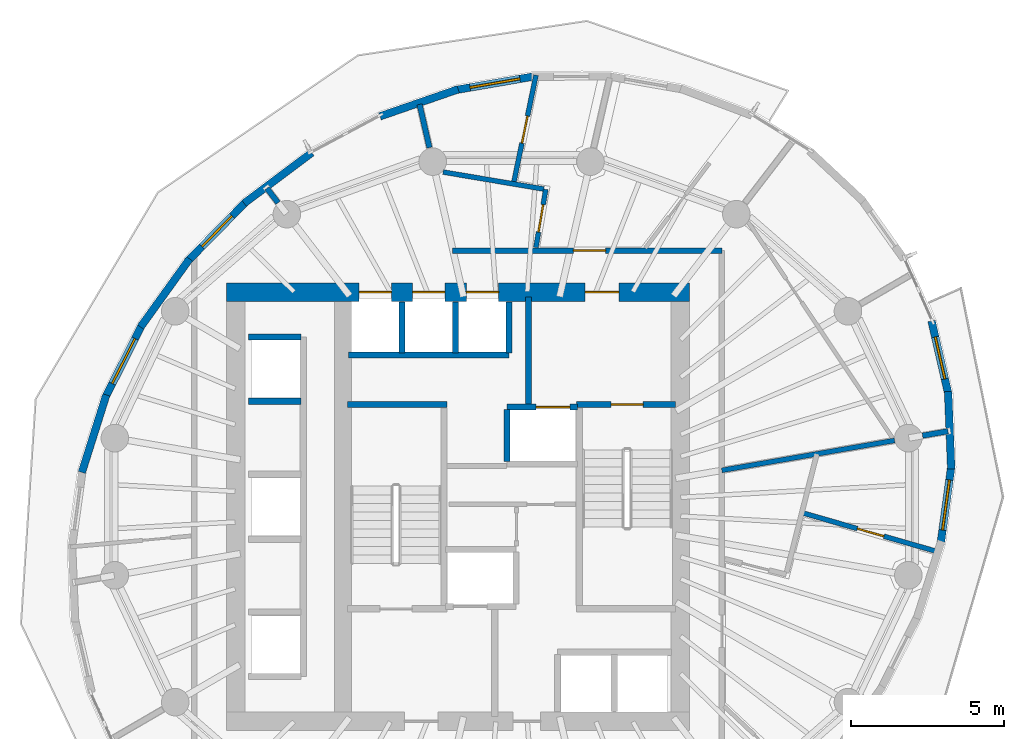
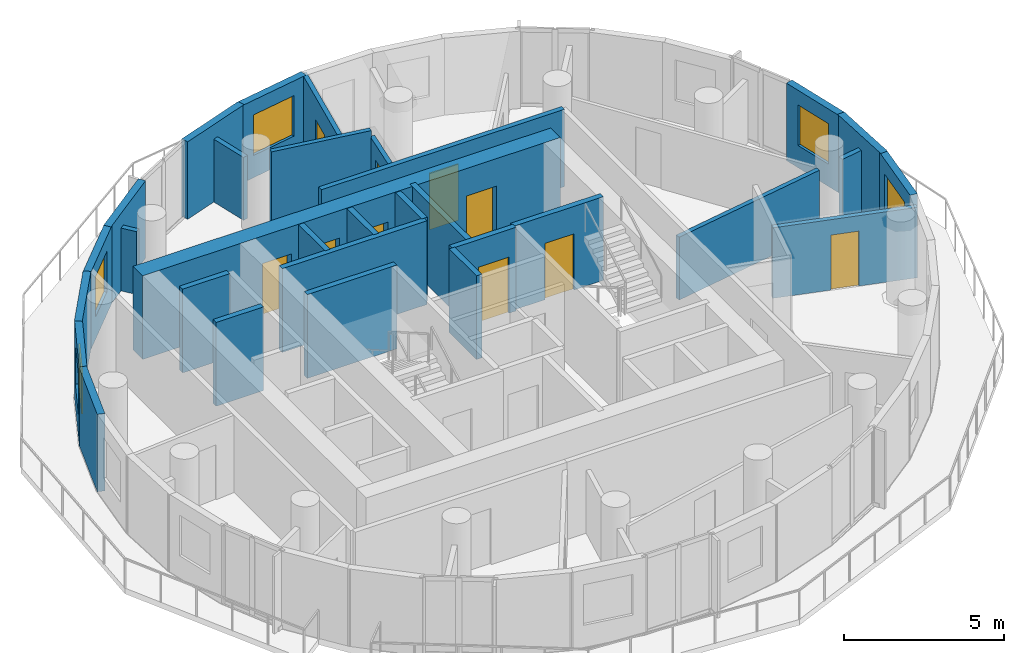
# One storey, part 6 of 10: 31 walls, 10 doors, 5 windows, 15 openings.
"""IFC4 building model written with IfcOpenShell, lengths in metres."""

from ifc_helpers import new_model, si_unit, direction, frame, frame_2d, origin, place, context, subcontext, project, spatial, rectangle, extrude, material, layer, layer_set, type_object, element, fill, save


model = new_model("IFC4")

# Units and contexts
model_context = context("Model", 3, precision=1e-05, world=origin(), true_north=direction((0.0, 1.0)))
body_context = subcontext(model_context, "Body", "Model", "MODEL_VIEW")
ifc_project = project(units=[si_unit("LENGTHUNIT", "METRE"), si_unit("AREAUNIT", "SQUARE_METRE"), si_unit("VOLUMEUNIT", "CUBIC_METRE"), si_unit("PLANEANGLEUNIT", "RADIAN"), si_unit("MASSUNIT", "GRAM", prefix="KILO")], contexts=[model_context])

# Site, building, storey
site_placement = place(None, origin())
site = spatial("IfcSite", under=ifc_project, at=site_placement, CompositionType="ELEMENT")
building_placement = place(site_placement, origin())
building = spatial("IfcBuilding", under=site, at=building_placement, Name="Veldorim Arch Residences", CompositionType="ELEMENT")
storey_placement = place(building_placement, frame((0.0, 0.0, 166.239990234375)))
storey = spatial("IfcBuildingStorey", under=building, at=storey_placement, Name="L49", CompositionType="ELEMENT", Elevation=166.239990234375)

# Walls
ifc_material_1 = material(Name="Lightweight Masonry Block & Gypsum", Category="masonry")
ifc_layer_1 = layer(ifc_material_1, 0.179931640625, Name="Compartment & Corridor Fire-Rated Party Wall 180")
ifc_layer_set_1 = layer_set([ifc_layer_1], Name="Lightweight Masonry Block & Gypsum")
wall_type_1 = type_object("IfcWallType", Name="Compartment & Corridor Fire-Rated Party Wall 180", PredefinedType="PARTITIONING", material=ifc_layer_set_1)
wall_1_placement = place(storey_placement, frame((45.409423828125, 26.319580078125, 0.0), z_axis=(0.0, 0.0, 1.0), x_axis=(0.985336508055, 0.170622290144, 0.0)))
element("IfcWall", 1, at=wall_1_placement, inside=storey, type_object=wall_type_1, Name="L49 interior wall WL-PIER-L49-01", PredefinedType="PARTITIONING", context=body_context, shape_type="SweptSolid", body=[
    extrude(rectangle(XDim=0.845703125, YDim=0.179931640625, at=frame_2d((0.4228515625, 0.0))), origin(), (0.0, 0.0, 1.0), 2.4033203125),
])
wall_2_placement = place(storey_placement, frame((29.320068359375, 35.717529296875, 0.0), z_axis=(0.0, 0.0, 1.0), x_axis=(-0.22299884629, 0.974818708557, 0.0)))
element("IfcWall", 2, at=wall_2_placement, inside=storey, type_object=wall_type_1, Name="L49 interior wall WL-PIER-L49-05", PredefinedType="PARTITIONING", context=body_context, shape_type="SweptSolid", body=[
    extrude(rectangle(XDim=1.447265625, YDim=0.179931640625, at=frame_2d((0.7236328125, 0.0))), origin(), (0.0, 0.0, 1.0), 2.4033203125),
])
wall_3_placement = place(storey_placement, frame((24.380126953125, 33.91796875, 0.0), z_axis=(0.0, 0.0, 1.0), x_axis=(-0.609274747308, 0.792959193334, 0.0)))
element("IfcWall", 3, at=wall_3_placement, inside=storey, type_object=wall_type_1, Name="L49 interior wall WL-PIER-L49-06", PredefinedType="PARTITIONING", context=body_context, shape_type="SweptSolid", body=[
    extrude(rectangle(XDim=0.595458984375, YDim=0.179931640625, at=frame_2d((0.2978515625, 0.0))), origin(), (0.0, 0.0, 1.0), 2.4033203125),
])

# Wall, opening, door
wall_4_placement = place(storey_placement, frame((30.0673828125, 32.360107421875, 0.0), z_axis=(0.0, 0.0, 1.0), x_axis=(1.0, 0.0, 0.0)))
wall_4 = element("IfcWall", 4, at=wall_4_placement, inside=storey, type_object=wall_type_1, Name="L49 interior wall WL-RES-L49-003", PredefinedType="PARTITIONING", context=body_context, shape_type="SweptSolid", body=[
    extrude(rectangle(XDim=8.792724609375, YDim=0.179931640625, at=frame_2d((4.396484375, 0.0))), origin(), (0.0, 0.0, 1.0), 2.955078125),
])
opening_1_placement = place(wall_4_placement, frame((3.95068359375, 0.0, 0.0)))
opening_1 = element("IfcOpeningElement", 5, at=opening_1_placement, cuts=wall_4, Name="Opening DR-FLT", PredefinedType="OPENING", context=body_context, shape_type="SweptSolid", body=[
    extrude(rectangle(XDim=1.050048828125, YDim=2.14990234375, at=frame_2d((0.52490234375, 1.074951171875))), frame((0.0, 0.099853515625, 0.0), z_axis=(0.0, -1.0, 0.0), x_axis=(1.0, 0.0, 0.0)), (0.0, 0.0, 1.0), 0.199951171875),
])
ifc_material_2 = material(Name="Fire-Rated Timber", Category="wood")
door_type_1 = type_object("IfcDoorType", Name="Apartment Entrance Solid-Core Fire Door 1050x2150", OperationType="SINGLE_SWING_LEFT", PredefinedType="DOOR", material=ifc_material_2)
door_1_placement = place(opening_1_placement, origin())
door_1 = element("IfcDoor", 6, at=door_1_placement, inside=storey, type_object=door_type_1, Name="L49 interior door DR-RES-L49-006", OperationType="SINGLE_SWING_RIGHT", OverallHeight=2.14990234375, OverallWidth=1.050048828125, PredefinedType="DOOR", context=body_context, shape_type="SweptSolid", body=[
    extrude(rectangle(XDim=1.050048828125, YDim=2.14990234375, at=frame_2d((0.52490234375, 1.074951171875))), frame((0.0, 0.02490234375, 0.0), z_axis=(0.0, -1.0, 0.0), x_axis=(1.0, 0.0, 0.0)), (0.0, 0.0, 1.0), 0.050048828125),
])
fill(opening_1, door_1)

# Wall
ifc_material_3 = material(Name="Concrete C50/60", Category="concrete")
ifc_layer_2 = layer(ifc_material_3, 0.199951171875, Name="Core Stair & Lift Shaft Enclosure Wall 200")
ifc_layer_set_2 = layer_set([ifc_layer_2], Name="Concrete C50/60")
wall_type_2 = type_object("IfcWallType", Name="Core Stair & Lift Shaft Enclosure Wall 200", PredefinedType="SHEAR", material=ifc_layer_set_2)
wall_5_placement = place(storey_placement, frame((26.64990234375, 27.330078125, 0.0), z_axis=(0.0, 0.0, 1.0), x_axis=(1.0, 0.0, 0.0)))
element("IfcWall", 7, at=wall_5_placement, inside=storey, type_object=wall_type_2, Name="L49 shaft wall WL-SHF-L49-ST1-N", PredefinedType="SHEAR", context=body_context, shape_type="SweptSolid", body=[
    extrude(rectangle(XDim=3.239990234375, YDim=0.199951171875, at=frame_2d((1.6201171875, 0.0))), origin(), (0.0, 0.0, 1.0), 3.199951171875),
])

# Wall, opening, door
wall_6_placement = place(storey_placement, frame((34.110107421875, 27.330078125, 0.0), z_axis=(0.0, 0.0, 1.0), x_axis=(1.0, 0.0, 0.0)))
wall_6 = element("IfcWall", 8, at=wall_6_placement, inside=storey, type_object=wall_type_2, Name="L49 shaft wall WL-SHF-L49-ST2-N", PredefinedType="SHEAR", context=body_context, shape_type="SweptSolid", body=[
    extrude(rectangle(XDim=3.239990234375, YDim=0.199951171875, at=frame_2d((1.6201171875, 0.0))), origin(), (0.0, 0.0, 1.0), 3.199951171875),
])
opening_2_placement = place(wall_6_placement, frame((1.135009765625, 0.0, 0.0)))
opening_2 = element("IfcOpeningElement", 9, at=opening_2_placement, cuts=wall_6, Name="Opening DR-ST", PredefinedType="OPENING", context=body_context, shape_type="SweptSolid", body=[
    extrude(rectangle(XDim=1.050048828125, YDim=2.14990234375, at=frame_2d((0.52490234375, 1.074951171875))), frame((0.0, 0.10986328125, 0.0), z_axis=(0.0, -1.0, 0.0), x_axis=(1.0, 0.0, 0.0)), (0.0, 0.0, 1.0), 0.219970703125),
])
ifc_material_4 = material(Name="Fire-Rated Steel", Category="steel")
door_type_2 = type_object("IfcDoorType", Name="Exit Staircase Self-Closing Fire Door 1050x2150", OperationType="SINGLE_SWING_LEFT", PredefinedType="DOOR", material=ifc_material_4)
door_2_placement = place(opening_2_placement, origin())
door_2 = element("IfcDoor", 10, at=door_2_placement, inside=storey, type_object=door_type_2, Name="L49 interior door DR-L49-ST2", OperationType="SINGLE_SWING_RIGHT", OverallHeight=2.14990234375, OverallWidth=1.050048828125, PredefinedType="DOOR", context=body_context, shape_type="SweptSolid", body=[
    extrude(rectangle(XDim=1.050048828125, YDim=2.14990234375, at=frame_2d((0.52490234375, 1.074951171875))), frame((0.0, 0.02490234375, 0.0), z_axis=(0.0, -1.0, 0.0), x_axis=(1.0, 0.0, 0.0)), (0.0, 0.0, 1.0), 0.050048828125),
])
fill(opening_2, door_2)

# Wall
wall_7_placement = place(storey_placement, frame((32.550048828125, 27.35009765625, 0.0), z_axis=(0.0, 0.0, 1.0), x_axis=(0.0, 1.0, 0.0)))
element("IfcWall", 11, at=wall_7_placement, inside=storey, type_object=wall_type_2, Name="L49 shaft wall WL-FFL2-L49-W", PredefinedType="SHEAR", context=body_context, shape_type="SweptSolid", body=[
    extrude(rectangle(XDim=3.5, YDim=0.199951171875, at=frame_2d((1.75, 0.0))), origin(), (0.0, 0.0, 1.0), 3.199951171875),
])

# Wall, opening, door
wall_8_placement = place(storey_placement, frame((31.85009765625, 27.25, 0.0), z_axis=(0.0, 0.0, 1.0), x_axis=(1.0, 0.0, 0.0)))
wall_8 = element("IfcWall", 12, at=wall_8_placement, inside=storey, type_object=wall_type_2, Name="L49 shaft wall WL-FL02-L49-N", PredefinedType="SHEAR", context=body_context, shape_type="SweptSolid", body=[
    extrude(rectangle(XDim=2.2998046875, YDim=0.199951171875, at=frame_2d((1.14990234375, 0.0))), origin(), (0.0, 0.0, 1.0), 3.199951171875),
])
opening_3_placement = place(wall_8_placement, frame((0.949951171875, 0.0, 0.0)))
opening_3 = element("IfcOpeningElement", 13, at=opening_3_placement, cuts=wall_8, Name="Opening LD-FF", PredefinedType="OPENING", context=body_context, shape_type="SweptSolid", body=[
    extrude(rectangle(XDim=1.10009765625, YDim=2.14990234375, at=frame_2d((0.550048828125, 1.074951171875))), frame((0.0, 0.10986328125, 0.0), z_axis=(0.0, -1.0, 0.0), x_axis=(1.0, 0.0, 0.0)), (0.0, 0.0, 1.0), 0.219970703125),
])
ifc_material_5 = material(Name="Stainless Steel", Category="steel")
door_type_3 = type_object("IfcDoorType", Name="Firefighting Lift Bi-Parting Sliding Landing Door 1100x2150", OperationType="DOUBLE_DOOR_SLIDING", PredefinedType="DOOR", material=ifc_material_5)
door_3_placement = place(opening_3_placement, origin())
door_3 = element("IfcDoor", 14, at=door_3_placement, inside=storey, type_object=door_type_3, Name="L49 lift landing door LD-L49-FL02", OperationType="DOUBLE_DOOR_SLIDING", OverallHeight=2.14990234375, OverallWidth=1.10009765625, PredefinedType="DOOR", context=body_context, shape_type="SweptSolid", body=[
    extrude(rectangle(XDim=1.10009765625, YDim=2.14990234375, at=frame_2d((0.550048828125, 1.074951171875))), frame((0.0, 0.02490234375, 0.0), z_axis=(0.0, -1.0, 0.0), x_axis=(1.0, 0.0, 0.0)), (0.0, 0.0, 1.0), 0.050048828125),
])
fill(opening_3, door_3)

# Walls
for number, where, z_axis, x_axis, name in (
    (15, (31.85009765625, 25.469970703125, 0.0), (0.0, 0.0, 1.0), (0.0, 1.0, 0.0), "L49 shaft wall WL-FL02-L49-W"),
    (16, (23.419921875, 29.5400390625, 0.0), (0.0, 0.0, 1.0), (1.0, 0.0, 0.0), "L49 shaft wall WL-B2-L49-N"),
    (17, (23.419921875, 27.43994140625, 0.0), (0.0, 0.0, 1.0), (1.0, 0.0, 0.0), "L49 shaft wall WL-B2-L49-D2B"),
):
    element("IfcWall", number, at=place(storey_placement, frame(where, z_axis=z_axis, x_axis=x_axis)), inside=storey, type_object=wall_type_2, Name=name, PredefinedType="SHEAR", context=body_context, shape_type="SweptSolid", body=[
        extrude(rectangle(XDim=1.7099609375, YDim=0.199951171875, at=frame_2d((0.85498046875, 0.0))), origin(), (0.0, 0.0, 1.0), 3.199951171875),
    ])
wall_9_placement = place(storey_placement, frame((26.679931640625, 28.949951171875, 0.0), z_axis=(0.0, 0.0, 1.0), x_axis=(1.0, 0.0, 0.0)))
element("IfcWall", 18, at=wall_9_placement, inside=storey, type_object=wall_type_2, Name="L49 shaft wall WL-B3-L49-S", PredefinedType="SHEAR", context=body_context, shape_type="SweptSolid", body=[
    extrude(rectangle(XDim=5.239990234375, YDim=0.199951171875, at=frame_2d((2.6201171875, 0.0))), origin(), (0.0, 0.0, 1.0), 3.199951171875),
])
for number, where, z_axis, x_axis, name in (
    (19, (31.919921875, 29.02001953125, 0.0), (0.0, 0.0, 1.0), (0.0, 1.0, 0.0), "L49 shaft wall WL-B3-L49-E"),
    (20, (28.425048828125, 29.02001953125, 0.0), (0.0, 0.0, 1.0), (0.0, 1.0, 0.0), "L49 shaft wall WL-B3-L49-D1"),
    (21, (30.175048828125, 29.02001953125, 0.0), (0.0, 0.0, 1.0), (0.0, 1.0, 0.0), "L49 shaft wall WL-B3-L49-D2"),
):
    element("IfcWall", number, at=place(storey_placement, frame(where, z_axis=z_axis, x_axis=x_axis)), inside=storey, type_object=wall_type_2, Name=name, PredefinedType="SHEAR", context=body_context, shape_type="SweptSolid", body=[
        extrude(rectangle(XDim=1.659912109375, YDim=0.199951171875, at=frame_2d((0.830078125, 0.0))), origin(), (0.0, 0.0, 1.0), 3.199951171875),
    ])

# Wall, openings, doors
ifc_material_6 = material(Name="Concrete C50/60", Category="concrete")
ifc_layer_3 = layer(ifc_material_6, 0.60009765625, Name="Mid-Upper Central Core Shear Wall 600")
ifc_layer_set_3 = layer_set([ifc_layer_3], Name="Concrete C50/60")
wall_type_3 = type_object("IfcWallType", Name="Mid-Upper Central Core Shear Wall 600", PredefinedType="SHEAR", material=ifc_layer_set_3)
wall_10_placement = place(storey_placement, frame((22.699951171875, 31.0, 0.0), z_axis=(0.0, 0.0, 1.0), x_axis=(1.0, 0.0, 0.0)))
wall_10 = element("IfcWall", 22, at=wall_10_placement, inside=storey, type_object=wall_type_3, Name="L49 central core north shear wall", PredefinedType="SHEAR", context=body_context, shape_type="SweptSolid", body=[
    extrude(rectangle(XDim=15.10009765625, YDim=0.60009765625, at=frame_2d((7.550048828125, 0.0))), origin(), (0.0, 0.0, 1.0), 3.199951171875),
])
opening_4_placement = place(wall_10_placement, frame((11.699951171875, 0.0, 0.0)))
opening_4 = element("IfcOpeningElement", 23, at=opening_4_placement, cuts=wall_10, Name="Opening DR-FFL", PredefinedType="OPENING", context=body_context, shape_type="SweptSolid", body=[
    extrude(rectangle(XDim=1.10009765625, YDim=2.14990234375, at=frame_2d((0.550048828125, 1.074951171875))), frame((0.0, 0.31005859375, 0.0), z_axis=(0.0, -1.0, 0.0), x_axis=(1.0, 0.0, 0.0)), (0.0, 0.0, 1.0), 0.6201171875),
])
opening_5_placement = place(wall_10_placement, frame((4.324951171875, 0.0, 0.0)))
opening_5 = element("IfcOpeningElement", 24, at=opening_5_placement, cuts=wall_10, Name="Opening LD-PS", PredefinedType="OPENING", context=body_context, shape_type="SweptSolid", body=[
    extrude(rectangle(XDim=1.050048828125, YDim=2.14990234375, at=frame_2d((0.52490234375, 1.074951171875))), frame((0.0, 0.31005859375, 0.0), z_axis=(0.0, -1.0, 0.0), x_axis=(1.0, 0.0, 0.0)), (0.0, 0.0, 1.0), 0.6201171875),
])
opening_6_placement = place(wall_10_placement, frame((6.074951171875, 0.0, 0.0)))
opening_6 = element("IfcOpeningElement", 25, at=opening_6_placement, cuts=wall_10, Name="Opening LD-PS", PredefinedType="OPENING", context=body_context, shape_type="SweptSolid", body=[
    extrude(rectangle(XDim=1.050048828125, YDim=2.14990234375, at=frame_2d((0.52490234375, 1.074951171875))), frame((0.0, 0.31005859375, 0.0), z_axis=(0.0, -1.0, 0.0), x_axis=(1.0, 0.0, 0.0)), (0.0, 0.0, 1.0), 0.6201171875),
])
opening_7_placement = place(wall_10_placement, frame((7.824951171875, 0.0, 0.0)))
opening_7 = element("IfcOpeningElement", 26, at=opening_7_placement, cuts=wall_10, Name="Opening LD-PS", PredefinedType="OPENING", context=body_context, shape_type="SweptSolid", body=[
    extrude(rectangle(XDim=1.050048828125, YDim=2.14990234375, at=frame_2d((0.52490234375, 1.074951171875))), frame((0.0, 0.31005859375, 0.0), z_axis=(0.0, -1.0, 0.0), x_axis=(1.0, 0.0, 0.0)), (0.0, 0.0, 1.0), 0.6201171875),
])
ifc_material_7 = material(Name="Fire-Rated Steel & Vision Glass", Category="steel")
door_type_4 = type_object("IfcDoorType", Name="Firefighting Lobby Smoke-Stop Fire Door 1100x2150", OperationType="SINGLE_SWING_LEFT", PredefinedType="DOOR", material=ifc_material_7)
door_4_placement = place(opening_4_placement, origin())
door_4 = element("IfcDoor", 27, at=door_4_placement, inside=storey, type_object=door_type_4, Name="L49 interior door DR-L49-FFL2", OperationType="SINGLE_SWING_LEFT", OverallHeight=2.14990234375, OverallWidth=1.10009765625, PredefinedType="DOOR", context=body_context, shape_type="SweptSolid", body=[
    extrude(rectangle(XDim=1.10009765625, YDim=2.14990234375, at=frame_2d((0.550048828125, 1.074951171875))), frame((0.0, 0.02490234375, 0.0), z_axis=(0.0, -1.0, 0.0), x_axis=(1.0, 0.0, 0.0)), (0.0, 0.0, 1.0), 0.050048828125),
])
fill(opening_4, door_4)
ifc_material_8 = material(Name="Stainless Steel", Category="steel")
door_type_5 = type_object("IfcDoorType", Name="Passenger Lift Bi-Parting Sliding Landing Door 1050x2150", OperationType="DOUBLE_DOOR_SLIDING", PredefinedType="DOOR", material=ifc_material_8)
door_5_placement = place(opening_5_placement, origin())
door_5 = element("IfcDoor", 28, at=door_5_placement, inside=storey, type_object=door_type_5, Name="L49 lift landing door LD-L49-PL-08", OperationType="DOUBLE_DOOR_SLIDING", OverallHeight=2.14990234375, OverallWidth=1.050048828125, PredefinedType="DOOR", context=body_context, shape_type="SweptSolid", body=[
    extrude(rectangle(XDim=1.050048828125, YDim=2.14990234375, at=frame_2d((0.52490234375, 1.074951171875))), frame((0.0, 0.02490234375, 0.0), z_axis=(0.0, -1.0, 0.0), x_axis=(1.0, 0.0, 0.0)), (0.0, 0.0, 1.0), 0.050048828125),
])
fill(opening_5, door_5)
door_6_placement = place(opening_6_placement, origin())
door_6 = element("IfcDoor", 29, at=door_6_placement, inside=storey, type_object=door_type_5, Name="L49 lift landing door LD-L49-PL-09", OperationType="DOUBLE_DOOR_SLIDING", OverallHeight=2.14990234375, OverallWidth=1.050048828125, PredefinedType="DOOR", context=body_context, shape_type="SweptSolid", body=[
    extrude(rectangle(XDim=1.050048828125, YDim=2.14990234375, at=frame_2d((0.52490234375, 1.074951171875))), frame((0.0, 0.02490234375, 0.0), z_axis=(0.0, -1.0, 0.0), x_axis=(1.0, 0.0, 0.0)), (0.0, 0.0, 1.0), 0.050048828125),
])
fill(opening_6, door_6)
door_7_placement = place(opening_7_placement, origin())
door_7 = element("IfcDoor", 30, at=door_7_placement, inside=storey, type_object=door_type_5, Name="L49 lift landing door LD-L49-PL-10", OperationType="DOUBLE_DOOR_SLIDING", OverallHeight=2.14990234375, OverallWidth=1.050048828125, PredefinedType="DOOR", context=body_context, shape_type="SweptSolid", body=[
    extrude(rectangle(XDim=1.050048828125, YDim=2.14990234375, at=frame_2d((0.52490234375, 1.074951171875))), frame((0.0, 0.02490234375, 0.0), z_axis=(0.0, -1.0, 0.0), x_axis=(1.0, 0.0, 0.0)), (0.0, 0.0, 1.0), 0.050048828125),
])
fill(opening_7, door_7)

# Wall, opening, window
ifc_material_9 = material(Name="Precast concrete C40/50", Category="concrete")
ifc_layer_4 = layer(ifc_material_9, 0.25, Name="Tower Terracotta Spandrel & Pier Wall 250")
ifc_layer_set_4 = layer_set([ifc_layer_4], Name="Precast concrete C40/50")
wall_type_4 = type_object("IfcWallType", Name="Tower Terracotta Spandrel & Pier Wall 250", PredefinedType="SOLIDWALL", material=ifc_layer_set_4)
wall_11_placement = place(storey_placement, frame((30.15185546875, 37.595458984375, 0.0), z_axis=(0.0, 0.0, 1.0), x_axis=(0.985331154473, 0.170653203967, 0.0)))
wall_11 = element("IfcWall", 31, at=wall_11_placement, inside=storey, type_object=wall_type_4, Name="L49 terracotta facade wall 06", PredefinedType="SOLIDWALL", context=body_context, shape_type="SweptSolid", body=[
    extrude(rectangle(XDim=2.65087890625, YDim=0.25, at=frame_2d((1.325439453125, 0.0))), origin(), (0.0, 0.0, 1.0), 2.9599609375),
])
opening_8_placement = place(wall_11_placement, frame((0.5, 0.0, 0.85009765625)))
opening_8 = element("IfcOpeningElement", 32, at=opening_8_placement, cuts=wall_11, Name="Opening WN-03", PredefinedType="OPENING", context=body_context, shape_type="SweptSolid", body=[
    extrude(rectangle(XDim=1.64990234375, YDim=1.550048828125, at=frame_2d((0.824951171875, 0.77490234375))), frame((0.0, 0.135009765625, 0.0), z_axis=(0.0, -1.0, 0.0), x_axis=(1.0, 0.0, 0.0)), (0.0, 0.0, 1.0), 0.27001953125),
])
ifc_material_10 = material(Name="Laminated Low-E Glass", Category="glass")
window_type_1 = type_object("IfcWindowType", Name="Residential Wide Window 1650x1550", PartitioningType="SINGLE_PANEL", PredefinedType="WINDOW", material=ifc_material_10)
window_1_placement = place(opening_8_placement, origin())
window_1 = element("IfcWindow", 33, at=window_1_placement, inside=storey, type_object=window_type_1, Name="L49 solar-control facade window 06", OverallHeight=1.550048828125, OverallWidth=1.64990234375, PartitioningType="SINGLE_PANEL", PredefinedType="WINDOW", context=body_context, shape_type="SweptSolid", body=[
    extrude(rectangle(XDim=1.64990234375, YDim=1.550048828125, at=frame_2d((0.824951171875, 0.77490234375))), frame((0.0, 0.030029296875, 0.0), z_axis=(0.0, -1.0, 0.0), x_axis=(1.0, 0.0, 0.0)), (0.0, 0.0, 1.0), 0.06005859375),
])
fill(opening_8, window_1)

# Walls
wall_12_placement = place(storey_placement, frame((27.705078125, 36.7392578125, 0.0), z_axis=(0.0, 0.0, 1.0), x_axis=(0.945016150651, 0.327023661236, 0.0)))
element("IfcWall", 34, at=wall_12_placement, inside=storey, type_object=wall_type_4, Name="L49 terracotta facade wall 07", PredefinedType="SOLIDWALL", context=body_context, shape_type="SweptSolid", body=[
    extrude(rectangle(XDim=2.70166015625, YDim=0.25, at=frame_2d((1.350830078125, 0.0))), origin(), (0.0, 0.0, 1.0), 2.9599609375),
])
wall_13_placement = place(storey_placement, frame((23.272216796875, 33.9013671875, 0.0), z_axis=(0.0, 0.0, 1.0), x_axis=(0.800636941996, 0.599149803564, 0.0)))
element("IfcWall", 35, at=wall_13_placement, inside=storey, type_object=wall_type_4, Name="L49 terracotta facade wall 09", PredefinedType="SOLIDWALL", context=body_context, shape_type="SweptSolid", body=[
    extrude(rectangle(XDim=2.7578125, YDim=0.25, at=frame_2d((1.37890625, 0.0))), origin(), (0.0, 0.0, 1.0), 2.9599609375),
])

# Wall, opening, window
wall_14_placement = place(storey_placement, frame((21.421142578125, 32.00537109375, 0.0), z_axis=(0.0, 0.0, 1.0), x_axis=(0.700794099323, 0.713363603189, 0.0)))
wall_14 = element("IfcWall", 36, at=wall_14_placement, inside=storey, type_object=wall_type_4, Name="L49 terracotta facade wall 10", PredefinedType="SOLIDWALL", context=body_context, shape_type="SweptSolid", body=[
    extrude(rectangle(XDim=2.758056640625, YDim=0.25, at=frame_2d((1.37890625, 0.0))), origin(), (0.0, 0.0, 1.0), 2.9599609375),
])
opening_9_placement = place(wall_14_placement, frame((0.678955078125, 0.0, 0.85009765625)))
opening_9 = element("IfcOpeningElement", 37, at=opening_9_placement, cuts=wall_14, Name="Opening WN-02", PredefinedType="OPENING", context=body_context, shape_type="SweptSolid", body=[
    extrude(rectangle(XDim=1.39990234375, YDim=1.550048828125, at=frame_2d((0.699951171875, 0.77490234375))), frame((0.0, 0.135009765625, 0.0), z_axis=(0.0, -1.0, 0.0), x_axis=(1.0, 0.0, 0.0)), (0.0, 0.0, 1.0), 0.27001953125),
])
ifc_material_11 = material(Name="Laminated Low-E Glass", Category="glass")
window_type_2 = type_object("IfcWindowType", Name="Residential Casement Window 1400x1550", PartitioningType="SINGLE_PANEL", PredefinedType="WINDOW", material=ifc_material_11)
window_2_placement = place(opening_9_placement, origin())
window_2 = element("IfcWindow", 38, at=window_2_placement, inside=storey, type_object=window_type_2, Name="L49 solar-control facade window 10", OverallHeight=1.550048828125, OverallWidth=1.39990234375, PartitioningType="SINGLE_PANEL", PredefinedType="WINDOW", context=body_context, shape_type="SweptSolid", body=[
    extrude(rectangle(XDim=1.39990234375, YDim=1.550048828125, at=frame_2d((0.699951171875, 0.77490234375))), frame((0.0, 0.030029296875, 0.0), z_axis=(0.0, -1.0, 0.0), x_axis=(1.0, 0.0, 0.0)), (0.0, 0.0, 1.0), 0.06005859375),
])
fill(opening_9, window_2)

# Wall
wall_15_placement = place(storey_placement, frame((19.892333984375, 29.865478515625, 0.0), z_axis=(0.0, 0.0, 1.0), x_axis=(0.583975860001, 0.811771023711, 0.0)))
element("IfcWall", 39, at=wall_15_placement, inside=storey, type_object=wall_type_4, Name="L49 terracotta facade wall 11", PredefinedType="SOLIDWALL", context=body_context, shape_type="SweptSolid", body=[
    extrude(rectangle(XDim=2.73828125, YDim=0.25, at=frame_2d((1.369140625, 0.0))), origin(), (0.0, 0.0, 1.0), 2.9599609375),
])

# Wall, opening, window
wall_16_placement = place(storey_placement, frame((18.732177734375, 27.546630859375, 0.0), z_axis=(0.0, 0.0, 1.0), x_axis=(0.450391703917, 0.892831066352, 0.0)))
wall_16 = element("IfcWall", 40, at=wall_16_placement, inside=storey, type_object=wall_type_4, Name="L49 terracotta facade wall 12", PredefinedType="SOLIDWALL", context=body_context, shape_type="SweptSolid", body=[
    extrude(rectangle(XDim=2.70166015625, YDim=0.25, at=frame_2d((1.350830078125, 0.0))), origin(), (0.0, 0.0, 1.0), 2.9599609375),
])
opening_10_placement = place(wall_16_placement, frame((0.52587890625, 0.0, 0.85009765625)))
opening_10 = element("IfcOpeningElement", 41, at=opening_10_placement, cuts=wall_16, Name="Opening WN-03", PredefinedType="OPENING", context=body_context, shape_type="SweptSolid", body=[
    extrude(rectangle(XDim=1.64990234375, YDim=1.550048828125, at=frame_2d((0.824951171875, 0.77490234375))), frame((0.0, 0.135009765625, 0.0), z_axis=(0.0, -1.0, 0.0), x_axis=(1.0, 0.0, 0.0)), (0.0, 0.0, 1.0), 0.27001953125),
])
window_3_placement = place(opening_10_placement, origin())
window_3 = element("IfcWindow", 42, at=window_3_placement, inside=storey, type_object=window_type_1, Name="L49 solar-control facade window 12", OverallHeight=1.550048828125, OverallWidth=1.64990234375, PartitioningType="SINGLE_PANEL", PredefinedType="WINDOW", context=body_context, shape_type="SweptSolid", body=[
    extrude(rectangle(XDim=1.64990234375, YDim=1.550048828125, at=frame_2d((0.824951171875, 0.77490234375))), frame((0.0, 0.030029296875, 0.0), z_axis=(0.0, -1.0, 0.0), x_axis=(1.0, 0.0, 0.0)), (0.0, 0.0, 1.0), 0.06005859375),
])
fill(opening_10, window_3)

# Wall
wall_17_placement = place(storey_placement, frame((17.97607421875, 25.120361328125, 0.0), z_axis=(0.0, 0.0, 1.0), x_axis=(0.300796358401, 0.953688392911, 0.0)))
element("IfcWall", 43, at=wall_17_placement, inside=storey, type_object=wall_type_4, Name="L49 terracotta facade wall 13", PredefinedType="SOLIDWALL", context=body_context, shape_type="SweptSolid", body=[
    extrude(rectangle(XDim=2.65087890625, YDim=0.25, at=frame_2d((1.325439453125, 0.0))), origin(), (0.0, 0.0, 1.0), 2.9599609375),
])

# Wall, opening, window
wall_18_placement = place(storey_placement, frame((46.35302734375, 25.339599609375, 0.0), z_axis=(0.0, 0.0, 1.0), x_axis=(-0.136289981327, -0.990668986589, 0.0)))
wall_18 = element("IfcWall", 44, at=wall_18_placement, inside=storey, type_object=wall_type_4, Name="L49 terracotta facade wall 32", PredefinedType="SOLIDWALL", context=body_context, shape_type="SweptSolid", body=[
    extrude(rectangle(XDim=2.592041015625, YDim=0.25, at=frame_2d((1.2958984375, 0.0))), origin(), (0.0, 0.0, 1.0), 2.9599609375),
])
opening_11_placement = place(wall_18_placement, frame((0.470947265625, 0.0, 0.85009765625)))
opening_11 = element("IfcOpeningElement", 45, at=opening_11_placement, cuts=wall_18, Name="Opening WN-03", PredefinedType="OPENING", context=body_context, shape_type="SweptSolid", body=[
    extrude(rectangle(XDim=1.64990234375, YDim=1.550048828125, at=frame_2d((0.824951171875, 0.77490234375))), frame((0.0, 0.135009765625, 0.0), z_axis=(0.0, -1.0, 0.0), x_axis=(1.0, 0.0, 0.0)), (0.0, 0.0, 1.0), 0.27001953125),
])
window_4_placement = place(opening_11_placement, origin())
window_4 = element("IfcWindow", 46, at=window_4_placement, inside=storey, type_object=window_type_1, Name="L49 solar-control facade window 32", OverallHeight=1.550048828125, OverallWidth=1.64990234375, PartitioningType="SINGLE_PANEL", PredefinedType="WINDOW", context=body_context, shape_type="SweptSolid", body=[
    extrude(rectangle(XDim=1.64990234375, YDim=1.550048828125, at=frame_2d((0.824951171875, 0.77490234375))), frame((0.0, 0.030029296875, 0.0), z_axis=(0.0, -1.0, 0.0), x_axis=(1.0, 0.0, 0.0)), (0.0, 0.0, 1.0), 0.06005859375),
])
fill(opening_11, window_4)

# Wall
wall_19_placement = place(storey_placement, frame((46.245361328125, 27.758056640625, 0.0), z_axis=(0.0, 0.0, 1.0), x_axis=(0.040399298921, -0.999183615081, 0.0)))
element("IfcWall", 47, at=wall_19_placement, inside=storey, type_object=wall_type_4, Name="L49 terracotta facade wall 33", PredefinedType="SOLIDWALL", context=body_context, shape_type="SweptSolid", body=[
    extrude(rectangle(XDim=2.531982421875, YDim=0.25, at=frame_2d((1.26611328125, 0.0))), origin(), (0.0, 0.0, 1.0), 2.9599609375),
])

# Wall, opening, window
wall_20_placement = place(storey_placement, frame((45.705078125, 30.060791015625, 0.0), z_axis=(0.0, 0.0, 1.0), x_axis=(0.224175769227, -0.974548728639, 0.0)))
wall_20 = element("IfcWall", 48, at=wall_20_placement, inside=storey, type_object=wall_type_4, Name="L49 terracotta facade wall 34", PredefinedType="SOLIDWALL", context=body_context, shape_type="SweptSolid", body=[
    extrude(rectangle(XDim=2.4775390625, YDim=0.25, at=frame_2d((1.23876953125, 0.0))), origin(), (0.0, 0.0, 1.0), 2.9599609375),
])
opening_12_placement = place(wall_20_placement, frame((0.5390625, 0.0, 0.85009765625)))
opening_12 = element("IfcOpeningElement", 49, at=opening_12_placement, cuts=wall_20, Name="Opening WN-02", PredefinedType="OPENING", context=body_context, shape_type="SweptSolid", body=[
    extrude(rectangle(XDim=1.39990234375, YDim=1.550048828125, at=frame_2d((0.699951171875, 0.77490234375))), frame((0.0, 0.135009765625, 0.0), z_axis=(0.0, -1.0, 0.0), x_axis=(1.0, 0.0, 0.0)), (0.0, 0.0, 1.0), 0.27001953125),
])
window_5_placement = place(opening_12_placement, origin())
window_5 = element("IfcWindow", 50, at=window_5_placement, inside=storey, type_object=window_type_2, Name="L49 solar-control facade window 34", OverallHeight=1.550048828125, OverallWidth=1.39990234375, PartitioningType="SINGLE_PANEL", PredefinedType="WINDOW", context=body_context, shape_type="SweptSolid", body=[
    extrude(rectangle(XDim=1.39990234375, YDim=1.550048828125, at=frame_2d((0.699951171875, 0.77490234375))), frame((0.0, 0.030029296875, 0.0), z_axis=(0.0, -1.0, 0.0), x_axis=(1.0, 0.0, 0.0)), (0.0, 0.0, 1.0), 0.06005859375),
])
fill(opening_12, window_5)

# Wall, opening, door
ifc_material_12 = material(Name="Moisture-Resistant Gypsum & Stud", Category="gypsum")
ifc_layer_5 = layer(ifc_material_12, 0.159912109375, Name="Wet-Area Moisture-Resistant Plumbing Wall 160")
ifc_layer_set_5 = layer_set([ifc_layer_5], Name="Moisture-Resistant Gypsum & Stud")
wall_type_5 = type_object("IfcWallType", Name="Wet-Area Moisture-Resistant Plumbing Wall 160", PredefinedType="PLUMBINGWALL", material=ifc_layer_set_5)
wall_21_placement = place(storey_placement, frame((41.47216796875, 23.804931640625, 0.0), z_axis=(0.0, 0.0, 1.0), x_axis=(0.961108200324, -0.276172097197, 0.0)))
wall_21 = element("IfcWall", 51, at=wall_21_placement, inside=storey, type_object=wall_type_5, Name="L49 interior wall WL-RES-L49-006", PredefinedType="PLUMBINGWALL", context=body_context, shape_type="SweptSolid", body=[
    extrude(rectangle(XDim=4.665771484375, YDim=0.159912109375, at=frame_2d((2.3330078125, 0.0))), origin(), (0.0, 0.0, 1.0), 2.69189453125),
])
opening_13_placement = place(wall_21_placement, frame((1.8828125, 0.0, 0.0)))
opening_13 = element("IfcOpeningElement", 52, at=opening_13_placement, cuts=wall_21, Name="Opening DR-WC", PredefinedType="OPENING", context=body_context, shape_type="SweptSolid", body=[
    extrude(rectangle(XDim=0.89990234375, YDim=2.10009765625, at=frame_2d((0.449951171875, 1.050048828125))), frame((0.0, 0.08984375, 0.0), z_axis=(0.0, -1.0, 0.0), x_axis=(1.0, 0.0, 0.0)), (0.0, 0.0, 1.0), 0.179931640625),
])
ifc_material_13 = material(Name="Laminate Timber", Category="wood")
door_type_6 = type_object("IfcDoorType", Name="Bathroom & Accessible WC Moisture-Sealed Door 900x2100", OperationType="SINGLE_SWING_LEFT", PredefinedType="DOOR", material=ifc_material_13)
door_8_placement = place(opening_13_placement, origin())
door_8 = element("IfcDoor", 53, at=door_8_placement, inside=storey, type_object=door_type_6, Name="L49 interior door DR-RES-L49-002", OperationType="SINGLE_SWING_RIGHT", OverallHeight=2.10009765625, OverallWidth=0.89990234375, PredefinedType="DOOR", context=body_context, shape_type="SweptSolid", body=[
    extrude(rectangle(XDim=0.89990234375, YDim=2.10009765625, at=frame_2d((0.449951171875, 1.050048828125))), frame((0.0, 0.02490234375, 0.0), z_axis=(0.0, -1.0, 0.0), x_axis=(1.0, 0.0, 0.0)), (0.0, 0.0, 1.0), 0.050048828125),
])
fill(opening_13, door_8)

# Wall
wall_22_placement = place(storey_placement, frame((38.860107421875, 25.186767578125, 0.0), z_axis=(0.0, 0.0, 1.0), x_axis=(0.985366357643, 0.170449820255, 0.0)))
element("IfcWall", 54, at=wall_22_placement, inside=storey, type_object=wall_type_5, Name="L49 interior wall WL-RES-L49-010", PredefinedType="PLUMBINGWALL", context=body_context, shape_type="SweptSolid", body=[
    extrude(rectangle(XDim=5.72216796875, YDim=0.159912109375, at=frame_2d((2.861083984375, 0.0))), origin(), (0.0, 0.0, 1.0), 2.4033203125),
])

# Wall, opening, door
wall_23_placement = place(storey_placement, frame((32.06201171875, 34.532958984375, 0.0), z_axis=(0.0, 0.0, 1.0), x_axis=(0.202663490646, 0.979248441183, 0.0)))
wall_23 = element("IfcWall", 55, at=wall_23_placement, inside=storey, type_object=wall_type_5, Name="L49 interior wall WL-RES-L49-013", PredefinedType="PLUMBINGWALL", context=body_context, shape_type="SweptSolid", body=[
    extrude(rectangle(XDim=3.6259765625, YDim=0.159912109375, at=frame_2d((1.81298828125, 0.0))), origin(), (0.0, 0.0, 1.0), 2.955078125),
])
opening_14_placement = place(wall_23_placement, frame((1.363037109375, 0.0, 0.0)))
opening_14 = element("IfcOpeningElement", 56, at=opening_14_placement, cuts=wall_23, Name="Opening DR-WC", PredefinedType="OPENING", context=body_context, shape_type="SweptSolid", body=[
    extrude(rectangle(XDim=0.89990234375, YDim=2.10009765625, at=frame_2d((0.449951171875, 1.050048828125))), frame((0.0, 0.08984375, 0.0), z_axis=(0.0, -1.0, 0.0), x_axis=(1.0, 0.0, 0.0)), (0.0, 0.0, 1.0), 0.179931640625),
])
door_9_placement = place(opening_14_placement, origin())
door_9 = element("IfcDoor", 57, at=door_9_placement, inside=storey, type_object=door_type_6, Name="L49 interior door DR-RES-L49-007", OperationType="SINGLE_SWING_LEFT", OverallHeight=2.10009765625, OverallWidth=0.89990234375, PredefinedType="DOOR", context=body_context, shape_type="SweptSolid", body=[
    extrude(rectangle(XDim=0.89990234375, YDim=2.10009765625, at=frame_2d((0.449951171875, 1.050048828125))), frame((0.0, 0.02490234375, 0.0), z_axis=(0.0, -1.0, 0.0), x_axis=(1.0, 0.0, 0.0)), (0.0, 0.0, 1.0), 0.050048828125),
])
fill(opening_14, door_9)

wall_24_placement = place(storey_placement, frame((32.79443359375, 32.45849609375, 0.0), z_axis=(0.0, 0.0, 1.0), x_axis=(0.166539349854, 0.986034809198, 0.0)))
wall_24 = element("IfcWall", 58, at=wall_24_placement, inside=storey, type_object=wall_type_5, Name="L49 interior wall WL-RES-L49-015", PredefinedType="PLUMBINGWALL", context=body_context, shape_type="SweptSolid", body=[
    extrude(rectangle(XDim=1.92333984375, YDim=0.159912109375, at=frame_2d((0.961669921875, 0.0))), origin(), (0.0, 0.0, 1.0), 2.69189453125),
])
opening_15_placement = place(wall_24_placement, frame((0.51171875, 0.0, 0.0)))
opening_15 = element("IfcOpeningElement", 59, at=opening_15_placement, cuts=wall_24, Name="Opening DR-INT", PredefinedType="OPENING", context=body_context, shape_type="SweptSolid", body=[
    extrude(rectangle(XDim=0.89990234375, YDim=2.10009765625, at=frame_2d((0.449951171875, 1.050048828125))), frame((0.0, 0.08984375, 0.0), z_axis=(0.0, -1.0, 0.0), x_axis=(1.0, 0.0, 0.0)), (0.0, 0.0, 1.0), 0.179931640625),
])
ifc_material_14 = material(Name="Engineered Timber", Category="wood")
door_type_7 = type_object("IfcDoorType", Name="Apartment Internal Room Timber Door 900x2100", OperationType="SINGLE_SWING_LEFT", PredefinedType="DOOR", material=ifc_material_14)
door_10_placement = place(opening_15_placement, origin())
door_10 = element("IfcDoor", 60, at=door_10_placement, inside=storey, type_object=door_type_7, Name="L49 interior door DR-RES-L49-010", OperationType="SINGLE_SWING_RIGHT", OverallHeight=2.10009765625, OverallWidth=0.89990234375, PredefinedType="DOOR", context=body_context, shape_type="SweptSolid", body=[
    extrude(rectangle(XDim=0.89990234375, YDim=2.10009765625, at=frame_2d((0.449951171875, 1.050048828125))), frame((0.0, 0.02490234375, 0.0), z_axis=(0.0, -1.0, 0.0), x_axis=(1.0, 0.0, 0.0)), (0.0, 0.0, 1.0), 0.050048828125),
])
fill(opening_15, door_10)

# Wall
wall_25_placement = place(storey_placement, frame((33.0556640625, 34.364990234375, 0.0), z_axis=(0.0, 0.0, 1.0), x_axis=(-0.986019737951, 0.16662855809, 0.0)))
element("IfcWall", 61, at=wall_25_placement, inside=storey, type_object=wall_type_5, Name="L49 interior wall WL-RES-L49-016", PredefinedType="PLUMBINGWALL", context=body_context, shape_type="SweptSolid", body=[
    extrude(rectangle(XDim=3.337646484375, YDim=0.159912109375, at=frame_2d((1.6689453125, 0.0))), origin(), (0.0, 0.0, 1.0), 2.955078125),
])

save(model, "model.ifc")
